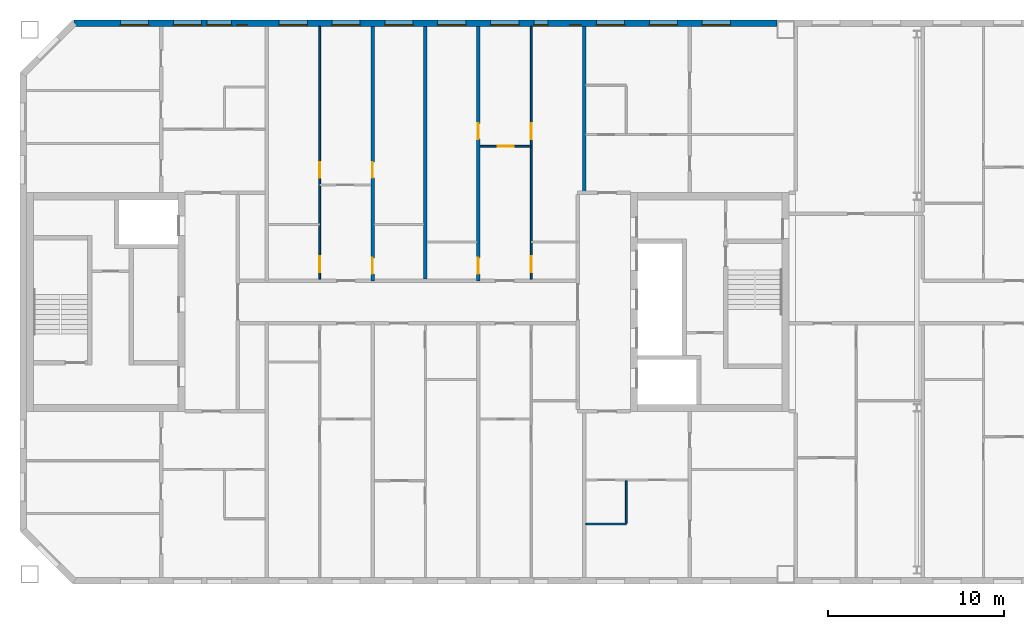
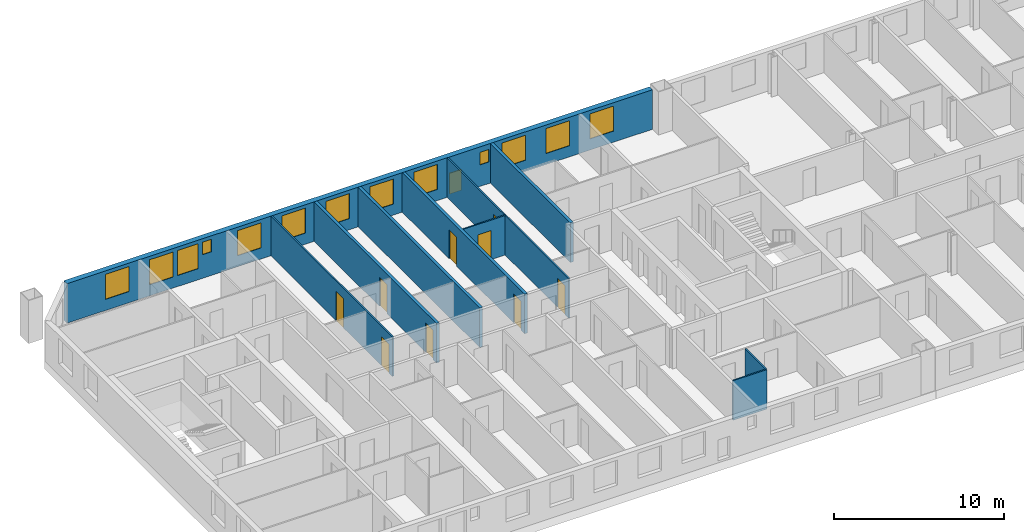
# One storey, part 7 of 19: 14 windows, 10 walls, 9 doors, 23 openings.
"""IFC4 building model written with IfcOpenShell, lengths in metres."""

from ifc_helpers import new_model, si_unit, direction, frame, frame_2d, origin, place, context, subcontext, project, spatial, rectangle, extrude, material, layer, layer_set, type_object, element, fill, save


model = new_model("IFC4")

# Units and contexts
model_context = context("Model", 3, precision=1e-05, world=origin(), true_north=direction((0.0, 1.0)))
body_context = subcontext(model_context, "Body", "Model", "MODEL_VIEW")
ifc_project = project(units=[si_unit("LENGTHUNIT", "METRE"), si_unit("AREAUNIT", "SQUARE_METRE"), si_unit("VOLUMEUNIT", "CUBIC_METRE"), si_unit("PLANEANGLEUNIT", "RADIAN"), si_unit("MASSUNIT", "GRAM", prefix="KILO")], contexts=[model_context])

# Site, building, storey
site_placement = place(None, origin())
site = spatial("IfcSite", under=ifc_project, at=site_placement, CompositionType="ELEMENT")
building_placement = place(site_placement, origin())
building = spatial("IfcBuilding", under=site, at=building_placement, Name="Tuart Gate Housing", CompositionType="ELEMENT")
storey_placement = place(building_placement, frame((0.0, 0.0, 221.39990234375)))
storey = spatial("IfcBuildingStorey", under=building, at=storey_placement, Name="L62", CompositionType="ELEMENT", Elevation=221.39990234375)

# Wall, openings, windows
ifc_material_1 = material(Name="Brick", Category="masonry")
ifc_layer_1 = layer(ifc_material_1, 0.360107421875)
ifc_layer_set_1 = layer_set([ifc_layer_1], Name="Brick pier and spandrel wall 360")
wall_type_1 = type_object("IfcWallType", Name="Brick pier and spandrel wall 360", PredefinedType="STANDARD", material=ifc_layer_set_1)
wall_1_placement = place(storey_placement, frame((74.949951171875, 85.820068359375, 0.0), z_axis=(0.0, 0.0, 1.0), x_axis=(-1.0, 0.0, 0.0)))
wall_1 = element("IfcWall", 1, at=wall_1_placement, inside=storey, type_object=wall_type_1, Name="External wall BLK-N L62", PredefinedType="STANDARD", context=body_context, shape_type="SweptSolid", body=[
    extrude(rectangle(XDim=39.87548828125, YDim=0.360107421875, at=frame_2d((19.937744140625, 0.0))), origin(), (0.0, 0.0, 1.0), 2.85009765625),
])
opening_1_placement = place(wall_1_placement, frame((2.64990234375, 0.0, 0.800048828125)))
opening_1 = element("IfcOpeningElement", 2, at=opening_1_placement, cuts=wall_1, Name="Opening W1", PredefinedType="OPENING", context=body_context, shape_type="SweptSolid", body=[
    extrude(rectangle(XDim=1.60009765625, YDim=1.800048828125, at=frame_2d((0.800048828125, 0.89990234375))), frame((0.0, 0.18994140625, 0.0), z_axis=(0.0, -1.0, 0.0), x_axis=(1.0, 0.0, 0.0)), (0.0, 0.0, 1.0), 0.380126953125),
])
opening_2_placement = place(wall_1_placement, frame((5.64990234375, 0.0, 0.800048828125)))
opening_2 = element("IfcOpeningElement", 3, at=opening_2_placement, cuts=wall_1, Name="Opening W1", PredefinedType="OPENING", context=body_context, shape_type="SweptSolid", body=[
    extrude(rectangle(XDim=1.60009765625, YDim=1.800048828125, at=frame_2d((0.800048828125, 0.89990234375))), frame((0.0, 0.18994140625, 0.0), z_axis=(0.0, -1.0, 0.0), x_axis=(1.0, 0.0, 0.0)), (0.0, 0.0, 1.0), 0.380126953125),
])
opening_3_placement = place(wall_1_placement, frame((8.64990234375, 0.0, 0.800048828125)))
opening_3 = element("IfcOpeningElement", 4, at=opening_3_placement, cuts=wall_1, Name="Opening W1", PredefinedType="OPENING", context=body_context, shape_type="SweptSolid", body=[
    extrude(rectangle(XDim=1.60009765625, YDim=1.800048828125, at=frame_2d((0.800048828125, 0.89990234375))), frame((0.0, 0.18994140625, 0.0), z_axis=(0.0, -1.0, 0.0), x_axis=(1.0, 0.0, 0.0)), (0.0, 0.0, 1.0), 0.380126953125),
])
opening_4_placement = place(wall_1_placement, frame((11.14990234375, 0.0, 1.550048828125)))
opening_4 = element("IfcOpeningElement", 5, at=opening_4_placement, cuts=wall_1, Name="Opening W1W", PredefinedType="OPENING", context=body_context, shape_type="SweptSolid", body=[
    extrude(rectangle(XDim=0.60009765625, YDim=0.89990234375, at=frame_2d((0.300048828125, 0.449951171875))), frame((0.0, 0.18994140625, 0.0), z_axis=(0.0, -1.0, 0.0), x_axis=(1.0, 0.0, 0.0)), (0.0, 0.0, 1.0), 0.380126953125),
])
opening_5_placement = place(wall_1_placement, frame((14.64990234375, 0.0, 0.800048828125)))
opening_5 = element("IfcOpeningElement", 6, at=opening_5_placement, cuts=wall_1, Name="Opening W1", PredefinedType="OPENING", context=body_context, shape_type="SweptSolid", body=[
    extrude(rectangle(XDim=1.60009765625, YDim=1.800048828125, at=frame_2d((0.800048828125, 0.89990234375))), frame((0.0, 0.18994140625, 0.0), z_axis=(0.0, -1.0, 0.0), x_axis=(1.0, 0.0, 0.0)), (0.0, 0.0, 1.0), 0.380126953125),
])
opening_6_placement = place(wall_1_placement, frame((17.64990234375, 0.0, 0.800048828125)))
opening_6 = element("IfcOpeningElement", 7, at=opening_6_placement, cuts=wall_1, Name="Opening W1", PredefinedType="OPENING", context=body_context, shape_type="SweptSolid", body=[
    extrude(rectangle(XDim=1.60009765625, YDim=1.800048828125, at=frame_2d((0.800048828125, 0.89990234375))), frame((0.0, 0.18994140625, 0.0), z_axis=(0.0, -1.0, 0.0), x_axis=(1.0, 0.0, 0.0)), (0.0, 0.0, 1.0), 0.380126953125),
])
opening_7_placement = place(wall_1_placement, frame((20.64990234375, 0.0, 0.800048828125)))
opening_7 = element("IfcOpeningElement", 8, at=opening_7_placement, cuts=wall_1, Name="Opening W1", PredefinedType="OPENING", context=body_context, shape_type="SweptSolid", body=[
    extrude(rectangle(XDim=1.60009765625, YDim=1.800048828125, at=frame_2d((0.800048828125, 0.89990234375))), frame((0.0, 0.18994140625, 0.0), z_axis=(0.0, -1.0, 0.0), x_axis=(1.0, 0.0, 0.0)), (0.0, 0.0, 1.0), 0.380126953125),
])
opening_8_placement = place(wall_1_placement, frame((23.64990234375, 0.0, 0.800048828125)))
opening_8 = element("IfcOpeningElement", 9, at=opening_8_placement, cuts=wall_1, Name="Opening W1", PredefinedType="OPENING", context=body_context, shape_type="SweptSolid", body=[
    extrude(rectangle(XDim=1.60009765625, YDim=1.800048828125, at=frame_2d((0.800048828125, 0.89990234375))), frame((0.0, 0.18994140625, 0.0), z_axis=(0.0, -1.0, 0.0), x_axis=(1.0, 0.0, 0.0)), (0.0, 0.0, 1.0), 0.380126953125),
])
opening_9_placement = place(wall_1_placement, frame((26.64990234375, 0.0, 0.800048828125)))
opening_9 = element("IfcOpeningElement", 10, at=opening_9_placement, cuts=wall_1, Name="Opening W1", PredefinedType="OPENING", context=body_context, shape_type="SweptSolid", body=[
    extrude(rectangle(XDim=1.60009765625, YDim=1.800048828125, at=frame_2d((0.800048828125, 0.89990234375))), frame((0.0, 0.18994140625, 0.0), z_axis=(0.0, -1.0, 0.0), x_axis=(1.0, 0.0, 0.0)), (0.0, 0.0, 1.0), 0.380126953125),
])
opening_10_placement = place(wall_1_placement, frame((30.050048828125, 0.0, 1.699951171875)))
opening_10 = element("IfcOpeningElement", 11, at=opening_10_placement, cuts=wall_1, Name="Opening W1W", PredefinedType="OPENING", context=body_context, shape_type="SweptSolid", body=[
    extrude(rectangle(XDim=0.60009765625, YDim=0.89990234375, at=frame_2d((0.300048828125, 0.449951171875))), frame((0.0, 0.18994140625, 0.0), z_axis=(0.0, -1.0, 0.0), x_axis=(1.0, 0.0, 0.0)), (0.0, 0.0, 1.0), 0.380126953125),
])
opening_11_placement = place(wall_1_placement, frame((32.64990234375, 0.0, 0.800048828125)))
opening_11 = element("IfcOpeningElement", 12, at=opening_11_placement, cuts=wall_1, Name="Opening W1", PredefinedType="OPENING", context=body_context, shape_type="SweptSolid", body=[
    extrude(rectangle(XDim=1.60009765625, YDim=1.800048828125, at=frame_2d((0.800048828125, 0.89990234375))), frame((0.0, 0.18994140625, 0.0), z_axis=(0.0, -1.0, 0.0), x_axis=(1.0, 0.0, 0.0)), (0.0, 0.0, 1.0), 0.380126953125),
])
opening_12_placement = place(wall_1_placement, frame((35.64990234375, 0.0, 0.800048828125)))
opening_12 = element("IfcOpeningElement", 13, at=opening_12_placement, cuts=wall_1, Name="Opening W1", PredefinedType="OPENING", context=body_context, shape_type="SweptSolid", body=[
    extrude(rectangle(XDim=1.60009765625, YDim=1.800048828125, at=frame_2d((0.800048828125, 0.89990234375))), frame((0.0, 0.18994140625, 0.0), z_axis=(0.0, -1.0, 0.0), x_axis=(1.0, 0.0, 0.0)), (0.0, 0.0, 1.0), 0.380126953125),
])
opening_13_placement = place(wall_1_placement, frame((13.0, 0.0, 0.14990234375)))
opening_13 = element("IfcOpeningElement", 14, at=opening_13_placement, cuts=wall_1, Name="Opening W1J", PredefinedType="OPENING", context=body_context, shape_type="SweptSolid", body=[
    extrude(rectangle(XDim=0.800048828125, YDim=1.5, at=frame_2d((0.39990234375, 0.75))), frame((0.0, 0.18994140625, 0.0), z_axis=(0.0, -1.0, 0.0), x_axis=(1.0, 0.0, 0.0)), (0.0, 0.0, 1.0), 0.380126953125),
])
opening_14_placement = place(wall_1_placement, frame((30.949951171875, 0.0, 0.800048828125)))
opening_14 = element("IfcOpeningElement", 15, at=opening_14_placement, cuts=wall_1, Name="Opening W1A", PredefinedType="OPENING", context=body_context, shape_type="SweptSolid", body=[
    extrude(rectangle(XDim=1.39990234375, YDim=1.800048828125, at=frame_2d((0.699951171875, 0.89990234375))), frame((0.0, 0.18994140625, 0.0), z_axis=(0.0, -1.0, 0.0), x_axis=(1.0, 0.0, 0.0)), (0.0, 0.0, 1.0), 0.380126953125),
])
ifc_material_2 = material(Name="Aluminium frame with clear glass", Category="aluminium")
window_type_1 = type_object("IfcWindowType", Name="Punched window 1400 x 1800", PartitioningType="SINGLE_PANEL", PredefinedType="WINDOW", material=ifc_material_2)
window_1_placement = place(opening_14_placement, origin())
window_1 = element("IfcWindow", 16, at=window_1_placement, inside=storey, type_object=window_type_1, Name="Window W1A", OverallHeight=1.800048828125, OverallWidth=1.39990234375, PartitioningType="SINGLE_PANEL", PredefinedType="WINDOW", context=body_context, shape_type="SweptSolid", body=[
    extrude(rectangle(XDim=1.39990234375, YDim=1.800048828125, at=frame_2d((0.699951171875, 0.89990234375))), frame((0.0, 0.150146484375, 0.0), z_axis=(0.0, -1.0, 0.0), x_axis=(1.0, 0.0, 0.0)), (0.0, 0.0, 1.0), 0.06005859375),
])
fill(opening_14, window_1)
ifc_material_3 = material(Name="Aluminium frame with clear glass", Category="aluminium")
window_type_2 = type_object("IfcWindowType", Name="Punched window 1600 x 1800", PartitioningType="SINGLE_PANEL", PredefinedType="WINDOW", material=ifc_material_3)
window_2_placement = place(opening_1_placement, origin())
window_2 = element("IfcWindow", 17, at=window_2_placement, inside=storey, type_object=window_type_2, Name="Window W1", OverallHeight=1.800048828125, OverallWidth=1.60009765625, PartitioningType="SINGLE_PANEL", PredefinedType="WINDOW", context=body_context, shape_type="SweptSolid", body=[
    extrude(rectangle(XDim=1.60009765625, YDim=1.800048828125, at=frame_2d((0.800048828125, 0.89990234375))), frame((0.0, 0.150146484375, 0.0), z_axis=(0.0, -1.0, 0.0), x_axis=(1.0, 0.0, 0.0)), (0.0, 0.0, 1.0), 0.06005859375),
])
fill(opening_1, window_2)
window_3_placement = place(opening_2_placement, origin())
window_3 = element("IfcWindow", 18, at=window_3_placement, inside=storey, type_object=window_type_2, Name="Window W1", OverallHeight=1.800048828125, OverallWidth=1.60009765625, PartitioningType="SINGLE_PANEL", PredefinedType="WINDOW", context=body_context, shape_type="SweptSolid", body=[
    extrude(rectangle(XDim=1.60009765625, YDim=1.800048828125, at=frame_2d((0.800048828125, 0.89990234375))), frame((0.0, 0.150146484375, 0.0), z_axis=(0.0, -1.0, 0.0), x_axis=(1.0, 0.0, 0.0)), (0.0, 0.0, 1.0), 0.06005859375),
])
fill(opening_2, window_3)
window_4_placement = place(opening_3_placement, origin())
window_4 = element("IfcWindow", 19, at=window_4_placement, inside=storey, type_object=window_type_2, Name="Window W1", OverallHeight=1.800048828125, OverallWidth=1.60009765625, PartitioningType="SINGLE_PANEL", PredefinedType="WINDOW", context=body_context, shape_type="SweptSolid", body=[
    extrude(rectangle(XDim=1.60009765625, YDim=1.800048828125, at=frame_2d((0.800048828125, 0.89990234375))), frame((0.0, 0.150146484375, 0.0), z_axis=(0.0, -1.0, 0.0), x_axis=(1.0, 0.0, 0.0)), (0.0, 0.0, 1.0), 0.06005859375),
])
fill(opening_3, window_4)
window_5_placement = place(opening_5_placement, origin())
window_5 = element("IfcWindow", 20, at=window_5_placement, inside=storey, type_object=window_type_2, Name="Window W1", OverallHeight=1.800048828125, OverallWidth=1.60009765625, PartitioningType="SINGLE_PANEL", PredefinedType="WINDOW", context=body_context, shape_type="SweptSolid", body=[
    extrude(rectangle(XDim=1.60009765625, YDim=1.800048828125, at=frame_2d((0.800048828125, 0.89990234375))), frame((0.0, 0.150146484375, 0.0), z_axis=(0.0, -1.0, 0.0), x_axis=(1.0, 0.0, 0.0)), (0.0, 0.0, 1.0), 0.06005859375),
])
fill(opening_5, window_5)
window_6_placement = place(opening_6_placement, origin())
window_6 = element("IfcWindow", 21, at=window_6_placement, inside=storey, type_object=window_type_2, Name="Window W1", OverallHeight=1.800048828125, OverallWidth=1.60009765625, PartitioningType="SINGLE_PANEL", PredefinedType="WINDOW", context=body_context, shape_type="SweptSolid", body=[
    extrude(rectangle(XDim=1.60009765625, YDim=1.800048828125, at=frame_2d((0.800048828125, 0.89990234375))), frame((0.0, 0.150146484375, 0.0), z_axis=(0.0, -1.0, 0.0), x_axis=(1.0, 0.0, 0.0)), (0.0, 0.0, 1.0), 0.06005859375),
])
fill(opening_6, window_6)
window_7_placement = place(opening_7_placement, origin())
window_7 = element("IfcWindow", 22, at=window_7_placement, inside=storey, type_object=window_type_2, Name="Window W1", OverallHeight=1.800048828125, OverallWidth=1.60009765625, PartitioningType="SINGLE_PANEL", PredefinedType="WINDOW", context=body_context, shape_type="SweptSolid", body=[
    extrude(rectangle(XDim=1.60009765625, YDim=1.800048828125, at=frame_2d((0.800048828125, 0.89990234375))), frame((0.0, 0.150146484375, 0.0), z_axis=(0.0, -1.0, 0.0), x_axis=(1.0, 0.0, 0.0)), (0.0, 0.0, 1.0), 0.06005859375),
])
fill(opening_7, window_7)
window_8_placement = place(opening_8_placement, origin())
window_8 = element("IfcWindow", 23, at=window_8_placement, inside=storey, type_object=window_type_2, Name="Window W1", OverallHeight=1.800048828125, OverallWidth=1.60009765625, PartitioningType="SINGLE_PANEL", PredefinedType="WINDOW", context=body_context, shape_type="SweptSolid", body=[
    extrude(rectangle(XDim=1.60009765625, YDim=1.800048828125, at=frame_2d((0.800048828125, 0.89990234375))), frame((0.0, 0.150146484375, 0.0), z_axis=(0.0, -1.0, 0.0), x_axis=(1.0, 0.0, 0.0)), (0.0, 0.0, 1.0), 0.06005859375),
])
fill(opening_8, window_8)
window_9_placement = place(opening_9_placement, origin())
window_9 = element("IfcWindow", 24, at=window_9_placement, inside=storey, type_object=window_type_2, Name="Window W1", OverallHeight=1.800048828125, OverallWidth=1.60009765625, PartitioningType="SINGLE_PANEL", PredefinedType="WINDOW", context=body_context, shape_type="SweptSolid", body=[
    extrude(rectangle(XDim=1.60009765625, YDim=1.800048828125, at=frame_2d((0.800048828125, 0.89990234375))), frame((0.0, 0.150146484375, 0.0), z_axis=(0.0, -1.0, 0.0), x_axis=(1.0, 0.0, 0.0)), (0.0, 0.0, 1.0), 0.06005859375),
])
fill(opening_9, window_9)
window_10_placement = place(opening_11_placement, origin())
window_10 = element("IfcWindow", 25, at=window_10_placement, inside=storey, type_object=window_type_2, Name="Window W1", OverallHeight=1.800048828125, OverallWidth=1.60009765625, PartitioningType="SINGLE_PANEL", PredefinedType="WINDOW", context=body_context, shape_type="SweptSolid", body=[
    extrude(rectangle(XDim=1.60009765625, YDim=1.800048828125, at=frame_2d((0.800048828125, 0.89990234375))), frame((0.0, 0.150146484375, 0.0), z_axis=(0.0, -1.0, 0.0), x_axis=(1.0, 0.0, 0.0)), (0.0, 0.0, 1.0), 0.06005859375),
])
fill(opening_11, window_10)
window_11_placement = place(opening_12_placement, origin())
window_11 = element("IfcWindow", 26, at=window_11_placement, inside=storey, type_object=window_type_2, Name="Window W1", OverallHeight=1.800048828125, OverallWidth=1.60009765625, PartitioningType="SINGLE_PANEL", PredefinedType="WINDOW", context=body_context, shape_type="SweptSolid", body=[
    extrude(rectangle(XDim=1.60009765625, YDim=1.800048828125, at=frame_2d((0.800048828125, 0.89990234375))), frame((0.0, 0.150146484375, 0.0), z_axis=(0.0, -1.0, 0.0), x_axis=(1.0, 0.0, 0.0)), (0.0, 0.0, 1.0), 0.06005859375),
])
fill(opening_12, window_11)
ifc_material_4 = material(Name="Aluminium frame with clear glass", Category="aluminium")
window_type_3 = type_object("IfcWindowType", Name="Punched window 600 x 900", PartitioningType="SINGLE_PANEL", PredefinedType="WINDOW", material=ifc_material_4)
window_12_placement = place(opening_4_placement, origin())
window_12 = element("IfcWindow", 27, at=window_12_placement, inside=storey, type_object=window_type_3, Name="Window W1W", OverallHeight=0.89990234375, OverallWidth=0.60009765625, PartitioningType="SINGLE_PANEL", PredefinedType="WINDOW", context=body_context, shape_type="SweptSolid", body=[
    extrude(rectangle(XDim=0.60009765625, YDim=0.89990234375, at=frame_2d((0.300048828125, 0.449951171875))), frame((0.0, 0.150146484375, 0.0), z_axis=(0.0, -1.0, 0.0), x_axis=(1.0, 0.0, 0.0)), (0.0, 0.0, 1.0), 0.06005859375),
])
fill(opening_4, window_12)
window_13_placement = place(opening_10_placement, origin())
window_13 = element("IfcWindow", 28, at=window_13_placement, inside=storey, type_object=window_type_3, Name="Window W1W", OverallHeight=0.89990234375, OverallWidth=0.60009765625, PartitioningType="SINGLE_PANEL", PredefinedType="WINDOW", context=body_context, shape_type="SweptSolid", body=[
    extrude(rectangle(XDim=0.60009765625, YDim=0.89990234375, at=frame_2d((0.300048828125, 0.449951171875))), frame((0.0, 0.150146484375, 0.0), z_axis=(0.0, -1.0, 0.0), x_axis=(1.0, 0.0, 0.0)), (0.0, 0.0, 1.0), 0.06005859375),
])
fill(opening_10, window_13)
ifc_material_5 = material(Name="Aluminium frame with clear glass", Category="aluminium")
window_type_4 = type_object("IfcWindowType", Name="Punched window 800 x 1500", PartitioningType="SINGLE_PANEL", PredefinedType="WINDOW", material=ifc_material_5)
window_14_placement = place(opening_13_placement, origin())
window_14 = element("IfcWindow", 29, at=window_14_placement, inside=storey, type_object=window_type_4, Name="Window W1J", OverallHeight=1.5, OverallWidth=0.800048828125, PartitioningType="SINGLE_PANEL", PredefinedType="WINDOW", context=body_context, shape_type="SweptSolid", body=[
    extrude(rectangle(XDim=0.800048828125, YDim=1.5, at=frame_2d((0.39990234375, 0.75))), frame((0.0, 0.150146484375, 0.0), z_axis=(0.0, -1.0, 0.0), x_axis=(1.0, 0.0, 0.0)), (0.0, 0.0, 1.0), 0.06005859375),
])
fill(opening_13, window_14)

# Wall
ifc_material_6 = material(Name="Gypsum board on steel studs", Category="steel")
ifc_layer_2 = layer(ifc_material_6, 0.10009765625)
ifc_layer_set_2 = layer_set([ifc_layer_2], Name="Partition 100")
wall_type_2 = type_object("IfcWallType", Name="Partition 100", PredefinedType="PARTITIONING", material=ifc_layer_set_2)
wall_2_placement = place(storey_placement, frame((64.10009765625, 57.39990234375, 0.0), z_axis=(0.0, 0.0, 1.0), x_axis=(1.0, 0.0, 0.0)))
element("IfcWall", 30, at=wall_2_placement, inside=storey, type_object=wall_type_2, Name="Partition 100", PredefinedType="PARTITIONING", context=body_context, shape_type="SweptSolid", body=[
    extrude(rectangle(XDim=2.2998046875, YDim=0.10009765625, at=frame_2d((1.14990234375, 0.0))), origin(), (0.0, 0.0, 1.0), 2.85009765625),
])

# Wall, opening, door
wall_3_placement = place(storey_placement, frame((58.10009765625, 78.840087890625, 0.0), z_axis=(0.0, 0.0, 1.0), x_axis=(1.0, 0.0, 0.0)))
wall_3 = element("IfcWall", 31, at=wall_3_placement, inside=storey, type_object=wall_type_2, Name="Partition 100", PredefinedType="PARTITIONING", context=body_context, shape_type="SweptSolid", body=[
    extrude(rectangle(XDim=2.89990234375, YDim=0.10009765625, at=frame_2d((1.449951171875, 0.0))), origin(), (0.0, 0.0, 1.0), 2.85009765625),
])
opening_15_placement = place(wall_3_placement, frame((1.0, 0.0, 0.0)))
opening_15 = element("IfcOpeningElement", 32, at=opening_15_placement, cuts=wall_3, Name="Opening D2285", PredefinedType="OPENING", context=body_context, shape_type="SweptSolid", body=[
    extrude(rectangle(XDim=0.89990234375, YDim=2.10009765625, at=frame_2d((0.449951171875, 1.050048828125))), frame((0.0, 0.06005859375, 0.0), z_axis=(0.0, -1.0, 0.0), x_axis=(1.0, 0.0, 0.0)), (0.0, 0.0, 1.0), 0.1201171875),
])
ifc_material_7 = material(Name="Timber door leaf in steel frame", Category="steel")
door_type_1 = type_object("IfcDoorType", Name="Internal door 900", OperationType="SINGLE_SWING_LEFT", PredefinedType="DOOR", material=ifc_material_7)
door_1_placement = place(opening_15_placement, frame((0.89990234375, 0.0, 0.0), z_axis=(0.0, 0.0, 1.0), x_axis=(-1.0, 0.0, 0.0)))
door_1 = element("IfcDoor", 33, at=door_1_placement, inside=storey, type_object=door_type_1, Name="Internal door", OperationType="SINGLE_SWING_LEFT", OverallHeight=2.10009765625, OverallWidth=0.89990234375, PredefinedType="DOOR", context=body_context, shape_type="SweptSolid", body=[
    extrude(rectangle(XDim=0.89990234375, YDim=2.10009765625, at=frame_2d((0.449951171875, 1.050048828125))), frame((0.0, 0.025146484375, 0.0), z_axis=(0.0, -1.0, 0.0), x_axis=(1.0, 0.0, 0.0)), (0.0, 0.0, 1.0), 0.050048828125),
])
fill(opening_15, door_1)

# Wall, openings, doors
wall_4_placement = place(storey_placement, frame((49.0, 71.300048828125, 0.0), z_axis=(0.0, 0.0, 1.0), x_axis=(0.0, 1.0, 0.0)))
wall_4 = element("IfcWall", 34, at=wall_4_placement, inside=storey, type_object=wall_type_2, Name="Partition 100", PredefinedType="PARTITIONING", context=body_context, shape_type="SweptSolid", body=[
    extrude(rectangle(XDim=14.33984375, YDim=0.10009765625, at=frame_2d((7.169921875, 0.0))), origin(), (0.0, 0.0, 1.0), 2.85009765625),
])
opening_16_placement = place(wall_4_placement, frame((5.739990234375, 0.0, 0.0)))
opening_16 = element("IfcOpeningElement", 35, at=opening_16_placement, cuts=wall_4, Name="Opening D2287", PredefinedType="OPENING", context=body_context, shape_type="SweptSolid", body=[
    extrude(rectangle(XDim=0.89990234375, YDim=2.10009765625, at=frame_2d((0.449951171875, 1.050048828125))), frame((0.0, 0.06005859375, 0.0), z_axis=(0.0, -1.0, 0.0), x_axis=(1.0, 0.0, 0.0)), (0.0, 0.0, 1.0), 0.1201171875),
])
opening_17_placement = place(wall_4_placement, frame((0.39990234375, 0.0, 0.0)))
opening_17 = element("IfcOpeningElement", 36, at=opening_17_placement, cuts=wall_4, Name="Opening D2286", PredefinedType="OPENING", context=body_context, shape_type="SweptSolid", body=[
    extrude(rectangle(XDim=0.89990234375, YDim=2.10009765625, at=frame_2d((0.449951171875, 1.050048828125))), frame((0.0, 0.06005859375, 0.0), z_axis=(0.0, -1.0, 0.0), x_axis=(1.0, 0.0, 0.0)), (0.0, 0.0, 1.0), 0.1201171875),
])
ifc_material_8 = material(Name="Timber door leaf in steel frame", Category="steel")
door_type_2 = type_object("IfcDoorType", Name="Bathroom door 900", OperationType="SINGLE_SWING_LEFT", PredefinedType="DOOR", material=ifc_material_8)
door_2_placement = place(opening_17_placement, origin())
door_2 = element("IfcDoor", 37, at=door_2_placement, inside=storey, type_object=door_type_2, Name="Bathroom door", OperationType="SINGLE_SWING_LEFT", OverallHeight=2.10009765625, OverallWidth=0.89990234375, PredefinedType="DOOR", context=body_context, shape_type="SweptSolid", body=[
    extrude(rectangle(XDim=0.89990234375, YDim=2.10009765625, at=frame_2d((0.449951171875, 1.050048828125))), frame((0.0, 0.02490234375, 0.0), z_axis=(0.0, -1.0, 0.0), x_axis=(1.0, 0.0, 0.0)), (0.0, 0.0, 1.0), 0.050048828125),
])
fill(opening_17, door_2)
door_3_placement = place(opening_16_placement, origin())
door_3 = element("IfcDoor", 38, at=door_3_placement, inside=storey, type_object=door_type_1, Name="Internal door", OperationType="SINGLE_SWING_LEFT", OverallHeight=2.10009765625, OverallWidth=0.89990234375, PredefinedType="DOOR", context=body_context, shape_type="SweptSolid", body=[
    extrude(rectangle(XDim=0.89990234375, YDim=2.10009765625, at=frame_2d((0.449951171875, 1.050048828125))), frame((0.0, 0.02490234375, 0.0), z_axis=(0.0, -1.0, 0.0), x_axis=(1.0, 0.0, 0.0)), (0.0, 0.0, 1.0), 0.050048828125),
])
fill(opening_16, door_3)

wall_5_placement = place(storey_placement, frame((61.0, 71.300048828125, 0.0), z_axis=(0.0, 0.0, 1.0), x_axis=(0.0, 1.0, 0.0)))
wall_5 = element("IfcWall", 39, at=wall_5_placement, inside=storey, type_object=wall_type_2, Name="Partition 100", PredefinedType="PARTITIONING", context=body_context, shape_type="SweptSolid", body=[
    extrude(rectangle(XDim=14.33984375, YDim=0.10009765625, at=frame_2d((7.169921875, 0.0))), origin(), (0.0, 0.0, 1.0), 2.85009765625),
])
opening_18_placement = place(wall_5_placement, frame((7.93994140625, 0.0, 0.0)))
opening_18 = element("IfcOpeningElement", 40, at=opening_18_placement, cuts=wall_5, Name="Opening D2289", PredefinedType="OPENING", context=body_context, shape_type="SweptSolid", body=[
    extrude(rectangle(XDim=0.89990234375, YDim=2.10009765625, at=frame_2d((0.449951171875, 1.050048828125))), frame((0.0, 0.06005859375, 0.0), z_axis=(0.0, -1.0, 0.0), x_axis=(1.0, 0.0, 0.0)), (0.0, 0.0, 1.0), 0.1201171875),
])
opening_19_placement = place(wall_5_placement, frame((0.39990234375, 0.0, 0.0)))
opening_19 = element("IfcOpeningElement", 41, at=opening_19_placement, cuts=wall_5, Name="Opening D2288", PredefinedType="OPENING", context=body_context, shape_type="SweptSolid", body=[
    extrude(rectangle(XDim=0.89990234375, YDim=2.10009765625, at=frame_2d((0.449951171875, 1.050048828125))), frame((0.0, 0.06005859375, 0.0), z_axis=(0.0, -1.0, 0.0), x_axis=(1.0, 0.0, 0.0)), (0.0, 0.0, 1.0), 0.1201171875),
])
ifc_material_9 = material(Name="Timber door leaf in steel frame", Category="steel")
door_type_3 = type_object("IfcDoorType", Name="Bathroom door 900 RH", OperationType="SINGLE_SWING_RIGHT", PredefinedType="DOOR", material=ifc_material_9)
door_4_placement = place(opening_19_placement, frame((0.89990234375, 0.0, 0.0), z_axis=(0.0, 0.0, 1.0), x_axis=(-1.0, 0.0, 0.0)))
door_4 = element("IfcDoor", 42, at=door_4_placement, inside=storey, type_object=door_type_3, Name="Bathroom door", OperationType="SINGLE_SWING_RIGHT", OverallHeight=2.10009765625, OverallWidth=0.89990234375, PredefinedType="DOOR", context=body_context, shape_type="SweptSolid", body=[
    extrude(rectangle(XDim=0.89990234375, YDim=2.10009765625, at=frame_2d((0.449951171875, 1.050048828125))), frame((0.0, 0.025146484375, 0.0), z_axis=(0.0, -1.0, 0.0), x_axis=(1.0, 0.0, 0.0)), (0.0, 0.0, 1.0), 0.050048828125),
])
fill(opening_19, door_4)
door_5_placement = place(opening_18_placement, frame((0.89990234375, 0.0, 0.0), z_axis=(0.0, 0.0, 1.0), x_axis=(-1.0, 0.0, 0.0)))
door_5 = element("IfcDoor", 43, at=door_5_placement, inside=storey, type_object=door_type_1, Name="Internal door", OperationType="SINGLE_SWING_LEFT", OverallHeight=2.10009765625, OverallWidth=0.89990234375, PredefinedType="DOOR", context=body_context, shape_type="SweptSolid", body=[
    extrude(rectangle(XDim=0.89990234375, YDim=2.10009765625, at=frame_2d((0.449951171875, 1.050048828125))), frame((0.0, 0.025146484375, 0.0), z_axis=(0.0, -1.0, 0.0), x_axis=(1.0, 0.0, 0.0)), (0.0, 0.0, 1.0), 0.050048828125),
])
fill(opening_18, door_5)

# Wall
wall_6_placement = place(storey_placement, frame((66.39990234375, 57.449951171875, 0.0), z_axis=(0.0, 0.0, 1.0), x_axis=(0.0, 1.0, 0.0)))
element("IfcWall", 44, at=wall_6_placement, inside=storey, type_object=wall_type_2, Name="Partition 100", PredefinedType="PARTITIONING", context=body_context, shape_type="SweptSolid", body=[
    extrude(rectangle(XDim=2.400146484375, YDim=0.10009765625, at=frame_2d((1.2001953125, 0.0))), origin(), (0.0, 0.0, 1.0), 2.85009765625),
])

# Wall, openings, doors
ifc_material_10 = material(Name="Concrete C40", Category="concrete")
ifc_layer_3 = layer(ifc_material_10, 0.199951171875)
ifc_layer_set_3 = layer_set([ifc_layer_3], Name="Party wall concrete C40 200")
wall_type_3 = type_object("IfcWallType", Name="Party wall concrete C40 200", PredefinedType="SOLIDWALL", material=ifc_layer_set_3)
wall_7_placement = place(storey_placement, frame((52.0, 71.199951171875, 0.0), z_axis=(0.0, 0.0, 1.0), x_axis=(0.0, 1.0, 0.0)))
wall_7 = element("IfcWall", 45, at=wall_7_placement, inside=storey, type_object=wall_type_3, Name="Party wall concrete C40 200", PredefinedType="SOLIDWALL", context=body_context, shape_type="SweptSolid", body=[
    extrude(rectangle(XDim=14.43994140625, YDim=0.199951171875, at=frame_2d((7.219970703125, 0.0))), origin(), (0.0, 0.0, 1.0), 2.85009765625),
])
opening_20_placement = place(wall_7_placement, frame((5.840087890625, 0.0, 0.0)))
opening_20 = element("IfcOpeningElement", 46, at=opening_20_placement, cuts=wall_7, Name="Opening D2291", PredefinedType="OPENING", context=body_context, shape_type="SweptSolid", body=[
    extrude(rectangle(XDim=0.89990234375, YDim=2.10009765625, at=frame_2d((0.449951171875, 1.050048828125))), frame((0.0, 0.10986328125, 0.0), z_axis=(0.0, -1.0, 0.0), x_axis=(1.0, 0.0, 0.0)), (0.0, 0.0, 1.0), 0.219970703125),
])
opening_21_placement = place(wall_7_placement, frame((0.39990234375, 0.0, 0.0)))
opening_21 = element("IfcOpeningElement", 47, at=opening_21_placement, cuts=wall_7, Name="Opening D2290", PredefinedType="OPENING", context=body_context, shape_type="SweptSolid", body=[
    extrude(rectangle(XDim=0.89990234375, YDim=2.10009765625, at=frame_2d((0.449951171875, 1.050048828125))), frame((0.0, 0.10986328125, 0.0), z_axis=(0.0, -1.0, 0.0), x_axis=(1.0, 0.0, 0.0)), (0.0, 0.0, 1.0), 0.219970703125),
])
door_6_placement = place(opening_21_placement, frame((0.89990234375, 0.0, 0.0), z_axis=(0.0, 0.0, 1.0), x_axis=(-1.0, 0.0, 0.0)))
door_6 = element("IfcDoor", 48, at=door_6_placement, inside=storey, type_object=door_type_3, Name="Bathroom door", OperationType="SINGLE_SWING_RIGHT", OverallHeight=2.10009765625, OverallWidth=0.89990234375, PredefinedType="DOOR", context=body_context, shape_type="SweptSolid", body=[
    extrude(rectangle(XDim=0.89990234375, YDim=2.10009765625, at=frame_2d((0.449951171875, 1.050048828125))), frame((0.0, 0.025146484375, 0.0), z_axis=(0.0, -1.0, 0.0), x_axis=(1.0, 0.0, 0.0)), (0.0, 0.0, 1.0), 0.050048828125),
])
fill(opening_21, door_6)
ifc_material_11 = material(Name="Timber door leaf in steel frame", Category="steel")
door_type_4 = type_object("IfcDoorType", Name="Internal door 900 RH", OperationType="SINGLE_SWING_RIGHT", PredefinedType="DOOR", material=ifc_material_11)
door_7_placement = place(opening_20_placement, frame((0.89990234375, 0.0, 0.0), z_axis=(0.0, 0.0, 1.0), x_axis=(-1.0, 0.0, 0.0)))
door_7 = element("IfcDoor", 49, at=door_7_placement, inside=storey, type_object=door_type_4, Name="Internal door", OperationType="SINGLE_SWING_RIGHT", OverallHeight=2.10009765625, OverallWidth=0.89990234375, PredefinedType="DOOR", context=body_context, shape_type="SweptSolid", body=[
    extrude(rectangle(XDim=0.89990234375, YDim=2.10009765625, at=frame_2d((0.449951171875, 1.050048828125))), frame((0.0, 0.025146484375, 0.0), z_axis=(0.0, -1.0, 0.0), x_axis=(1.0, 0.0, 0.0)), (0.0, 0.0, 1.0), 0.050048828125),
])
fill(opening_20, door_7)

wall_8_placement = place(storey_placement, frame((58.0, 71.199951171875, 0.0), z_axis=(0.0, 0.0, 1.0), x_axis=(0.0, 1.0, 0.0)))
wall_8 = element("IfcWall", 50, at=wall_8_placement, inside=storey, type_object=wall_type_3, Name="Party wall concrete C40 200", PredefinedType="SOLIDWALL", context=body_context, shape_type="SweptSolid", body=[
    extrude(rectangle(XDim=14.43994140625, YDim=0.199951171875, at=frame_2d((7.219970703125, 0.0))), origin(), (0.0, 0.0, 1.0), 2.85009765625),
])
opening_22_placement = place(wall_8_placement, frame((8.0400390625, 0.0, 0.0)))
opening_22 = element("IfcOpeningElement", 51, at=opening_22_placement, cuts=wall_8, Name="Opening D2293", PredefinedType="OPENING", context=body_context, shape_type="SweptSolid", body=[
    extrude(rectangle(XDim=0.89990234375, YDim=2.10009765625, at=frame_2d((0.449951171875, 1.050048828125))), frame((0.0, 0.10986328125, 0.0), z_axis=(0.0, -1.0, 0.0), x_axis=(1.0, 0.0, 0.0)), (0.0, 0.0, 1.0), 0.219970703125),
])
opening_23_placement = place(wall_8_placement, frame((0.39990234375, 0.0, 0.0)))
opening_23 = element("IfcOpeningElement", 52, at=opening_23_placement, cuts=wall_8, Name="Opening D2292", PredefinedType="OPENING", context=body_context, shape_type="SweptSolid", body=[
    extrude(rectangle(XDim=0.89990234375, YDim=2.10009765625, at=frame_2d((0.449951171875, 1.050048828125))), frame((0.0, 0.10986328125, 0.0), z_axis=(0.0, -1.0, 0.0), x_axis=(1.0, 0.0, 0.0)), (0.0, 0.0, 1.0), 0.219970703125),
])
door_8_placement = place(opening_23_placement, origin())
door_8 = element("IfcDoor", 53, at=door_8_placement, inside=storey, type_object=door_type_2, Name="Bathroom door", OperationType="SINGLE_SWING_LEFT", OverallHeight=2.10009765625, OverallWidth=0.89990234375, PredefinedType="DOOR", context=body_context, shape_type="SweptSolid", body=[
    extrude(rectangle(XDim=0.89990234375, YDim=2.10009765625, at=frame_2d((0.449951171875, 1.050048828125))), frame((0.0, 0.02490234375, 0.0), z_axis=(0.0, -1.0, 0.0), x_axis=(1.0, 0.0, 0.0)), (0.0, 0.0, 1.0), 0.050048828125),
])
fill(opening_23, door_8)
door_9_placement = place(opening_22_placement, origin())
door_9 = element("IfcDoor", 54, at=door_9_placement, inside=storey, type_object=door_type_4, Name="Internal door", OperationType="SINGLE_SWING_RIGHT", OverallHeight=2.10009765625, OverallWidth=0.89990234375, PredefinedType="DOOR", context=body_context, shape_type="SweptSolid", body=[
    extrude(rectangle(XDim=0.89990234375, YDim=2.10009765625, at=frame_2d((0.449951171875, 1.050048828125))), frame((0.0, 0.02490234375, 0.0), z_axis=(0.0, -1.0, 0.0), x_axis=(1.0, 0.0, 0.0)), (0.0, 0.0, 1.0), 0.050048828125),
])
fill(opening_22, door_9)

# Walls
wall_9_placement = place(storey_placement, frame((64.0, 76.199951171875, 0.0), z_axis=(0.0, 0.0, 1.0), x_axis=(0.0, 1.0, 0.0)))
element("IfcWall", 55, at=wall_9_placement, inside=storey, type_object=wall_type_3, Name="Party wall concrete C40 200", PredefinedType="SOLIDWALL", context=body_context, shape_type="SweptSolid", body=[
    extrude(rectangle(XDim=9.43994140625, YDim=0.199951171875, at=frame_2d((4.719970703125, 0.0))), origin(), (0.0, 0.0, 1.0), 2.85009765625),
])
ifc_material_12 = material(Name="Concrete masonry 15 MPa", Category="masonry")
ifc_layer_4 = layer(ifc_material_12, 0.199951171875)
ifc_layer_set_4 = layer_set([ifc_layer_4], Name="Party wall masonry 200")
wall_type_4 = type_object("IfcWallType", Name="Party wall masonry 200", PredefinedType="PARTITIONING", material=ifc_layer_set_4)
wall_10_placement = place(storey_placement, frame((55.0, 71.300048828125, 0.0), z_axis=(0.0, 0.0, 1.0), x_axis=(0.0, 1.0, 0.0)))
element("IfcWall", 56, at=wall_10_placement, inside=storey, type_object=wall_type_4, Name="Party wall masonry 200", PredefinedType="PARTITIONING", context=body_context, shape_type="SweptSolid", body=[
    extrude(rectangle(XDim=14.33984375, YDim=0.199951171875, at=frame_2d((7.169921875, 0.0))), origin(), (0.0, 0.0, 1.0), 2.85009765625),
])

save(model, "model.ifc")
